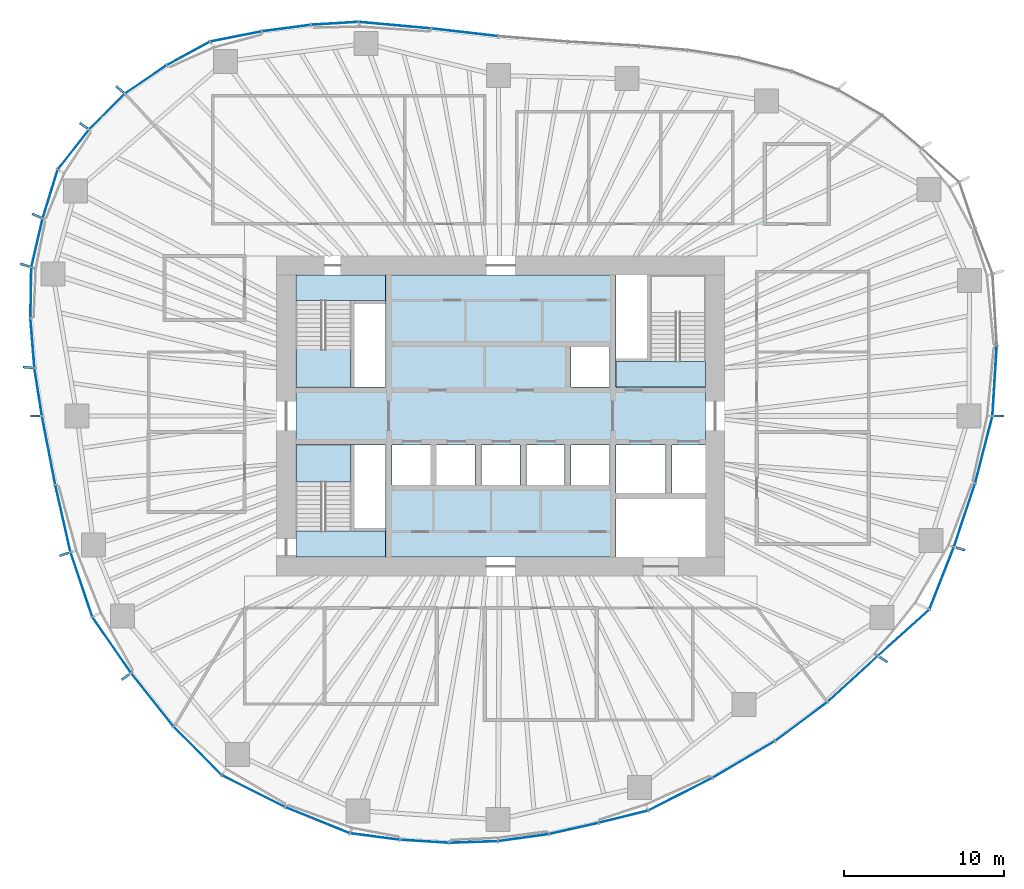
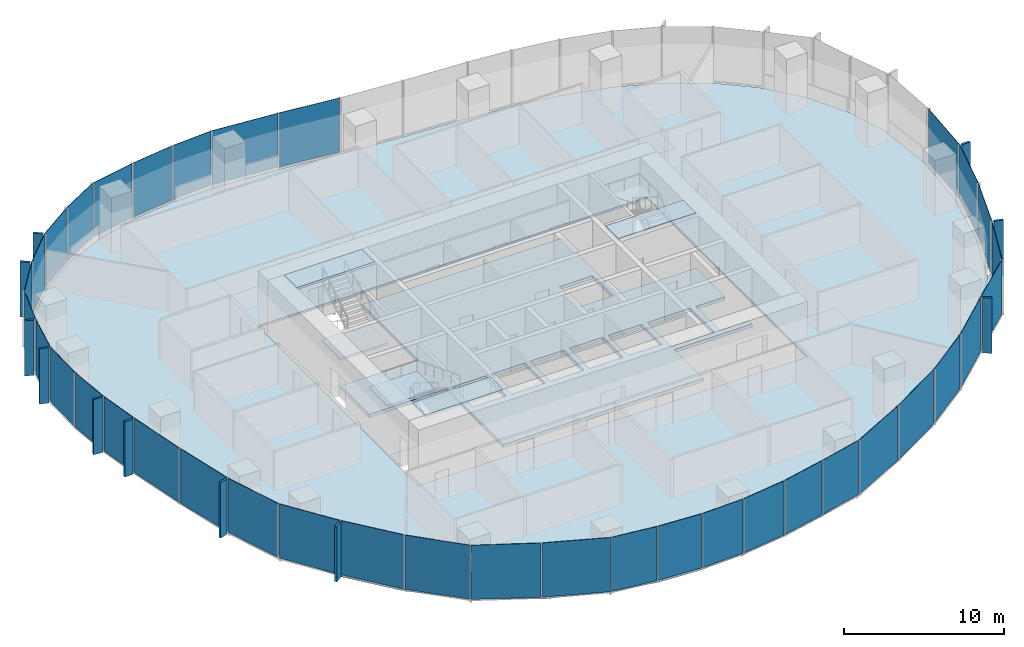
# One storey, part 7 of 18: 48 plates, 7 slabs, 19 elements without a shape of their own.
"""IFC4 building model written with IfcOpenShell, lengths in metres."""

from ifc_helpers import new_model, si_unit, direction, frame, origin, origin_2d, place, context, subcontext, project, spatial, polyline, rectangle, outline, extrude, material, layer, layer_set, type_object, element, aggregate, save


model = new_model("IFC4")

# Units and contexts
model_context = context("Model", 3, precision=1e-05, world=origin(), true_north=direction((0.0, 1.0)))
body_context = subcontext(model_context, "Body", "Model", "MODEL_VIEW")
ifc_project = project(units=[si_unit("LENGTHUNIT", "METRE"), si_unit("AREAUNIT", "SQUARE_METRE"), si_unit("VOLUMEUNIT", "CUBIC_METRE"), si_unit("PLANEANGLEUNIT", "RADIAN"), si_unit("MASSUNIT", "GRAM", prefix="KILO")], contexts=[model_context])

# Site, building, storey
site_placement = place(None, origin())
site = spatial("IfcSite", under=ifc_project, at=site_placement, CompositionType="ELEMENT")
building_placement = place(site_placement, origin())
building = spatial("IfcBuilding", under=site, at=building_placement, Name="Ghaith Harvest Tower", CompositionType="ELEMENT")
storey_placement = place(building_placement, frame((0.0, 0.0, 121.800048828125)))
storey = spatial("IfcBuildingStorey", under=building, at=storey_placement, Name="L25", CompositionType="ELEMENT", Elevation=121.800048828125)

# Curtain wall, plate
ifc_material_1 = material(Name="Black anodised aluminium and fritted glass", Category="aluminium")
curtain_wall_type = type_object("IfcCurtainWallType", Name="CW-L CURTAIN WALL", PredefinedType="NOTDEFINED", material=ifc_material_1)
curtain_wall_1_placement = place(storey_placement, origin())
curtain_wall_1 = element("IfcCurtainWall", 1, at=curtain_wall_1_placement, inside=storey, type_object=curtain_wall_type, Name="Curtain wall CW-L bay 01 L25", PredefinedType="NOTDEFINED")
ifc_material_2 = material(Name="Glass, dark solar-control fritted double glazed unit", Category="glass")
ifc_layer_1 = layer(ifc_material_2, 0.031982421875)
ifc_layer_set_1 = layer_set([ifc_layer_1], Name="CW-L VISION PANEL")
plate_type_1 = type_object("IfcPlateType", Name="CW-L VISION PANEL", PredefinedType="CURTAIN_PANEL", material=ifc_layer_set_1)
plate_1_placement = place(storey_placement, frame((30.86376953125, 2.19482421875, 0.079833984375), z_axis=(0.0, 0.0, 1.0), x_axis=(0.061379619468, 0.99811449359, 0.0)))
plate_1 = element("IfcPlate", 2, at=plate_1_placement, type_object=plate_type_1, Name="CW-L glass unit 1 bay 01 L25", PredefinedType="CURTAIN_PANEL", context=body_context, shape_type="SweptSolid", body=[
    extrude(rectangle(XDim=4.318115234375, YDim=0.031982421875, at=origin_2d()), origin(), (0.0, 0.0, 1.0), 4.1201171875),
])
aggregate(curtain_wall_1, [plate_1])

# Curtain wall, plates
curtain_wall_2_placement = place(storey_placement, origin())
curtain_wall_2 = element("IfcCurtainWall", 3, at=curtain_wall_2_placement, inside=storey, type_object=curtain_wall_type, Name="Curtain wall CW-L bay 06 L25", PredefinedType="NOTDEFINED")
plate_2_placement = place(storey_placement, frame((-2.24267578125, 23.968505859375, 0.079833984375), z_axis=(0.0, 0.0, 1.0), x_axis=(-0.993477024646, 0.114032458099, 0.0)))
plate_2 = element("IfcPlate", 4, at=plate_2_placement, type_object=plate_type_1, Name="CW-L glass unit 1 bay 06 L25", PredefinedType="CURTAIN_PANEL", context=body_context, shape_type="SweptSolid", body=[
    extrude(rectangle(XDim=4.10791015625, YDim=0.031982421875, at=origin_2d()), origin(), (0.0, 0.0, 1.0), 4.1201171875),
])
plate_3_placement = place(storey_placement, frame((-6.607666015625, 24.4140625, 0.079833984375), z_axis=(0.0, 0.0, 1.0), x_axis=(-0.995928776302, 0.090143621701, 0.0)))
plate_3 = element("IfcPlate", 5, at=plate_3_placement, type_object=plate_type_1, Name="CW-L glass unit 2 bay 06 L25", PredefinedType="CURTAIN_PANEL", context=body_context, shape_type="SweptSolid", body=[
    extrude(rectangle(XDim=4.508056640625, YDim=0.031982421875, at=origin_2d()), origin(), (0.0, 0.0, 1.0), 4.1201171875),
])
aggregate(curtain_wall_2, [plate_2, plate_3])

curtain_wall_3_placement = place(storey_placement, origin())
curtain_wall_3 = element("IfcCurtainWall", 6, at=curtain_wall_3_placement, inside=storey, type_object=curtain_wall_type, Name="Curtain wall CW-L bay 07 L25", PredefinedType="NOTDEFINED")
plate_4_placement = place(storey_placement, frame((-10.36669921875, 24.5302734375, 0.079833984375), z_axis=(0.0, 0.0, 1.0), x_axis=(-0.998119199641, -0.061303044853, 0.0)))
plate_4 = element("IfcPlate", 7, at=plate_4_placement, type_object=plate_type_1, Name="CW-L glass unit 1 bay 07 L25", PredefinedType="CURTAIN_PANEL", context=body_context, shape_type="SweptSolid", body=[
    extrude(rectangle(XDim=2.874267578125, YDim=0.031982421875, at=origin_2d()), origin(), (0.0, 0.0, 1.0), 4.1201171875),
])
plate_5_placement = place(storey_placement, frame((-13.382568359375, 24.23486328125, 0.079833984375), z_axis=(0.0, 0.0, 1.0), x_axis=(-0.991285895369, -0.131728029071, 0.0)))
plate_5 = element("IfcPlate", 8, at=plate_5_placement, type_object=plate_type_1, Name="CW-L glass unit 2 bay 07 L25", PredefinedType="CURTAIN_PANEL", context=body_context, shape_type="SweptSolid", body=[
    extrude(rectangle(XDim=3.02978515625, YDim=0.031982421875, at=origin_2d()), origin(), (0.0, 0.0, 1.0), 4.1201171875),
])
plate_6_placement = place(storey_placement, frame((-16.54443359375, 23.7099609375, 0.079833984375), z_axis=(0.0, 0.0, 1.0), x_axis=(-0.981037550101, -0.193817763096, 0.0)))
plate_6 = element("IfcPlate", 9, at=plate_6_placement, type_object=plate_type_1, Name="CW-L glass unit 3 bay 07 L25", PredefinedType="CURTAIN_PANEL", context=body_context, shape_type="SweptSolid", body=[
    extrude(rectangle(XDim=3.22412109375, YDim=0.031982421875, at=origin_2d()), origin(), (0.0, 0.0, 1.0), 4.1201171875),
])
aggregate(curtain_wall_3, [plate_4, plate_5, plate_6])

curtain_wall_4_placement = place(storey_placement, origin())
curtain_wall_4 = element("IfcCurtainWall", 10, at=curtain_wall_4_placement, inside=storey, type_object=curtain_wall_type, Name="Curtain wall CW-L bay 08 L25", PredefinedType="NOTDEFINED")
plate_7_placement = place(storey_placement, frame((-19.520263671875, 22.650634765625, 0.079833984375), z_axis=(0.0, 0.0, 1.0), x_axis=(-0.877940384665, -0.478769966659, 0.0)))
plate_7 = element("IfcPlate", 11, at=plate_7_placement, type_object=plate_type_1, Name="CW-L glass unit 1 bay 08 L25", PredefinedType="CURTAIN_PANEL", context=body_context, shape_type="SweptSolid", body=[
    extrude(rectangle(XDim=3.007080078125, YDim=0.031982421875, at=origin_2d()), origin(), (0.0, 0.0, 1.0), 4.1201171875),
])
plate_8_placement = place(storey_placement, frame((-22.182373046875, 21.025390625, 0.079833984375), z_axis=(0.0, 0.0, 1.0), x_axis=(-0.827674847773, -0.561207935051, 0.0)))
plate_8 = element("IfcPlate", 12, at=plate_8_placement, type_object=plate_type_1, Name="CW-L glass unit 2 bay 08 L25", PredefinedType="CURTAIN_PANEL", context=body_context, shape_type="SweptSolid", body=[
    extrude(rectangle(XDim=3.078369140625, YDim=0.031982421875, at=origin_2d()), origin(), (0.0, 0.0, 1.0), 4.1201171875),
])
plate_9_placement = place(storey_placement, frame((-24.603759765625, 19.01708984375, 0.079833984375), z_axis=(0.0, 0.0, 1.0), x_axis=(-0.704613943896, -0.709590861037, 0.0)))
plate_9 = element("IfcPlate", 13, at=plate_9_placement, type_object=plate_type_1, Name="CW-L glass unit 3 bay 08 L25", PredefinedType="CURTAIN_PANEL", context=body_context, shape_type="SweptSolid", body=[
    extrude(rectangle(XDim=3.0830078125, YDim=0.031982421875, at=origin_2d()), origin(), (0.0, 0.0, 1.0), 4.1201171875),
])
aggregate(curtain_wall_4, [plate_7, plate_8, plate_9])

curtain_wall_5_placement = place(storey_placement, origin())
curtain_wall_5 = element("IfcCurtainWall", 14, at=curtain_wall_5_placement, inside=storey, type_object=curtain_wall_type, Name="Curtain wall CW-L bay 09 L25", PredefinedType="NOTDEFINED")
plate_10_placement = place(storey_placement, frame((-26.69873046875, 16.644775390625, 0.079833984375), z_axis=(0.0, 0.0, 1.0), x_axis=(-0.617140806324, -0.786852734106, 0.0)))
plate_10 = element("IfcPlate", 15, at=plate_10_placement, type_object=plate_type_1, Name="CW-L glass unit 1 bay 09 L25", PredefinedType="CURTAIN_PANEL", context=body_context, shape_type="SweptSolid", body=[
    extrude(rectangle(XDim=3.09765625, YDim=0.031982421875, at=origin_2d()), origin(), (0.0, 0.0, 1.0), 4.1201171875),
])
plate_11_placement = place(storey_placement, frame((-28.14794921875, 13.869140625, 0.079833984375), z_axis=(0.0, 0.0, 1.0), x_axis=(-0.293802674087, -0.955866093498, 0.0)))
plate_11 = element("IfcPlate", 16, at=plate_11_placement, type_object=plate_type_1, Name="CW-L glass unit 2 bay 09 L25", PredefinedType="CURTAIN_PANEL", context=body_context, shape_type="SweptSolid", body=[
    extrude(rectangle(XDim=3.111328125, YDim=0.031982421875, at=origin_2d()), origin(), (0.0, 0.0, 1.0), 4.1201171875),
])
plate_12_placement = place(storey_placement, frame((-28.9716796875, 10.819091796875, 0.079833984375), z_axis=(0.0, 0.0, 1.0), x_axis=(-0.226698962458, -0.973964876379, 0.0)))
plate_12 = element("IfcPlate", 17, at=plate_12_placement, type_object=plate_type_1, Name="CW-L glass unit 3 bay 09 L25", PredefinedType="CURTAIN_PANEL", context=body_context, shape_type="SweptSolid", body=[
    extrude(rectangle(XDim=3.05126953125, YDim=0.031982421875, at=origin_2d()), origin(), (0.0, 0.0, 1.0), 4.1201171875),
])
aggregate(curtain_wall_5, [plate_10, plate_11, plate_12])

curtain_wall_6_placement = place(storey_placement, origin())
curtain_wall_6 = element("IfcCurtainWall", 18, at=curtain_wall_6_placement, inside=storey, type_object=curtain_wall_type, Name="Curtain wall CW-L bay 10 L25", PredefinedType="NOTDEFINED")
plate_13_placement = place(storey_placement, frame((-29.352294921875, 7.695068359375, 0.079833984375), z_axis=(0.0, 0.0, 1.0), x_axis=(-0.016034106433, -0.999871445452, 0.0)))
plate_13 = element("IfcPlate", 19, at=plate_13_placement, type_object=plate_type_1, Name="CW-L glass unit 1 bay 10 L25", PredefinedType="CURTAIN_PANEL", context=body_context, shape_type="SweptSolid", body=[
    extrude(rectangle(XDim=3.118408203125, YDim=0.031982421875, at=origin_2d()), origin(), (0.0, 0.0, 1.0), 4.1201171875),
])
plate_14_placement = place(storey_placement, frame((-29.25439453125, 4.54345703125, 0.079833984375), z_axis=(0.0, 0.0, 1.0), x_axis=(0.079273335663, -0.996852917061, 0.0)))
plate_14 = element("IfcPlate", 20, at=plate_14_placement, type_object=plate_type_1, Name="CW-L glass unit 2 bay 10 L25", PredefinedType="CURTAIN_PANEL", context=body_context, shape_type="SweptSolid", body=[
    extrude(rectangle(XDim=3.035400390625, YDim=0.031982421875, at=origin_2d()), origin(), (0.0, 0.0, 1.0), 4.1201171875),
])
plate_15_placement = place(storey_placement, frame((-28.896240234375, 1.495361328125, 0.079833984375), z_axis=(0.0, 0.0, 1.0), x_axis=(0.155172175389, -0.987887440949, 0.0)))
plate_15 = element("IfcPlate", 21, at=plate_15_placement, type_object=plate_type_1, Name="CW-L glass unit 3 bay 10 L25", PredefinedType="CURTAIN_PANEL", context=body_context, shape_type="SweptSolid", body=[
    extrude(rectangle(XDim=2.947265625, YDim=0.031982421875, at=origin_2d()), origin(), (0.0, 0.0, 1.0), 4.1201171875),
])
aggregate(curtain_wall_6, [plate_13, plate_14, plate_15])

curtain_wall_7_placement = place(storey_placement, origin())
curtain_wall_7 = element("IfcCurtainWall", 22, at=curtain_wall_7_placement, inside=storey, type_object=curtain_wall_type, Name="Curtain wall CW-L bay 11 L25", PredefinedType="NOTDEFINED")
plate_16_placement = place(storey_placement, frame((-28.24462890625, -2.152099609375, 0.079833984375), z_axis=(0.0, 0.0, 1.0), x_axis=(0.190044913274, -0.981775397399, 0.0)))
plate_16 = element("IfcPlate", 23, at=plate_16_placement, type_object=plate_type_1, Name="CW-L glass unit 1 bay 11 L25", PredefinedType="CURTAIN_PANEL", context=body_context, shape_type="SweptSolid", body=[
    extrude(rectangle(XDim=4.303955078125, YDim=0.031982421875, at=origin_2d()), origin(), (0.0, 0.0, 1.0), 4.1201171875),
])
plate_17_placement = place(storey_placement, frame((-27.351806640625, -6.41064453125, 0.079833984375), z_axis=(0.0, 0.0, 1.0), x_axis=(0.220483469245, -0.975390711351, 0.0)))
plate_17 = element("IfcPlate", 24, at=plate_17_placement, type_object=plate_type_1, Name="CW-L glass unit 2 bay 11 L25", PredefinedType="CURTAIN_PANEL", context=body_context, shape_type="SweptSolid", body=[
    extrude(rectangle(XDim=4.239501953125, YDim=0.031982421875, at=origin_2d()), origin(), (0.0, 0.0, 1.0), 4.1201171875),
])
aggregate(curtain_wall_7, [plate_16, plate_17])

curtain_wall_8_placement = place(storey_placement, origin())
curtain_wall_8 = element("IfcCurtainWall", 25, at=curtain_wall_8_placement, inside=storey, type_object=curtain_wall_type, Name="Curtain wall CW-L bay 12 L25", PredefinedType="NOTDEFINED")
plate_18_placement = place(storey_placement, frame((-26.194580078125, -10.537841796875, 0.079833984375), z_axis=(0.0, 0.0, 1.0), x_axis=(0.319477383729, -0.947593901039, 0.0)))
plate_18 = element("IfcPlate", 26, at=plate_18_placement, type_object=plate_type_1, Name="CW-L glass unit 1 bay 12 L25", PredefinedType="CURTAIN_PANEL", context=body_context, shape_type="SweptSolid", body=[
    extrude(rectangle(XDim=4.184326171875, YDim=0.031982421875, at=origin_2d()), origin(), (0.0, 0.0, 1.0), 4.1201171875),
])
plate_19_placement = place(storey_placement, frame((-24.3017578125, -14.312255859375, 0.079833984375), z_axis=(0.0, 0.0, 1.0), x_axis=(0.568347699633, -0.822788485774, 0.0)))
plate_19 = element("IfcPlate", 27, at=plate_19_placement, type_object=plate_type_1, Name="CW-L glass unit 2 bay 12 L25", PredefinedType="CURTAIN_PANEL", context=body_context, shape_type="SweptSolid", body=[
    extrude(rectangle(XDim=4.18359375, YDim=0.031982421875, at=origin_2d()), origin(), (0.0, 0.0, 1.0), 4.1201171875),
])
aggregate(curtain_wall_8, [plate_18, plate_19])

curtain_wall_9_placement = place(storey_placement, origin())
curtain_wall_9 = element("IfcCurtainWall", 28, at=curtain_wall_9_placement, inside=storey, type_object=curtain_wall_type, Name="Curtain wall CW-L bay 13 L25", PredefinedType="NOTDEFINED")
plate_20_placement = place(storey_placement, frame((-21.765625, -17.7314453125, 0.079833984375), z_axis=(0.0, 0.0, 1.0), x_axis=(0.622507360482, -0.782613944513, 0.0)))
plate_20 = element("IfcPlate", 29, at=plate_20_placement, type_object=plate_type_1, Name="CW-L glass unit 1 bay 13 L25", PredefinedType="CURTAIN_PANEL", context=body_context, shape_type="SweptSolid", body=[
    extrude(rectangle(XDim=4.175537109375, YDim=0.031982421875, at=origin_2d()), origin(), (0.0, 0.0, 1.0), 4.1201171875),
])
plate_21_placement = place(storey_placement, frame((-18.935791015625, -20.920166015625, 0.079833984375), z_axis=(0.0, 0.0, 1.0), x_axis=(0.702843151286, -0.711344856375, 0.0)))
plate_21 = element("IfcPlate", 30, at=plate_21_placement, type_object=plate_type_1, Name="CW-L glass unit 2 bay 13 L25", PredefinedType="CURTAIN_PANEL", context=body_context, shape_type="SweptSolid", body=[
    extrude(rectangle(XDim=4.203369140625, YDim=0.031982421875, at=origin_2d()), origin(), (0.0, 0.0, 1.0), 4.1201171875),
])
aggregate(curtain_wall_9, [plate_20, plate_21])

curtain_wall_10_placement = place(storey_placement, origin())
curtain_wall_10 = element("IfcCurtainWall", 31, at=curtain_wall_10_placement, inside=storey, type_object=curtain_wall_type, Name="Curtain wall CW-L bay 14 L25", PredefinedType="NOTDEFINED")
plate_22_placement = place(storey_placement, frame((-15.44677734375, -23.443115234375, 0.079833984375), z_axis=(0.0, 0.0, 1.0), x_axis=(0.893062297869, -0.449933030712, 0.0)))
plate_22 = element("IfcPlate", 32, at=plate_22_placement, type_object=plate_type_1, Name="CW-L glass unit 1 bay 14 L25", PredefinedType="CURTAIN_PANEL", context=body_context, shape_type="SweptSolid", body=[
    extrude(rectangle(XDim=4.362548828125, YDim=0.031982421875, at=origin_2d()), origin(), (0.0, 0.0, 1.0), 4.1201171875),
])
plate_23_placement = place(storey_placement, frame((-11.441162109375, -25.260498046875, 0.079833984375), z_axis=(0.0, 0.0, 1.0), x_axis=(0.927002522537, -0.375055093567, 0.0)))
plate_23 = element("IfcPlate", 33, at=plate_23_placement, type_object=plate_type_1, Name="CW-L glass unit 2 bay 14 L25", PredefinedType="CURTAIN_PANEL", context=body_context, shape_type="SweptSolid", body=[
    extrude(rectangle(XDim=4.282470703125, YDim=0.031982421875, at=origin_2d()), origin(), (0.0, 0.0, 1.0), 4.1201171875),
])
aggregate(curtain_wall_10, [plate_22, plate_23])

curtain_wall_11_placement = place(storey_placement, origin())
curtain_wall_11 = element("IfcCurtainWall", 34, at=curtain_wall_11_placement, inside=storey, type_object=curtain_wall_type, Name="Curtain wall CW-L bay 15 L25", PredefinedType="NOTDEFINED")
plate_24_placement = place(storey_placement, frame((-7.856689453125, -26.281005859375, 0.079833984375), z_axis=(0.0, 0.0, 1.0), x_axis=(0.99172348392, -0.128392100386, 0.0)))
plate_24 = element("IfcPlate", 35, at=plate_24_placement, type_object=plate_type_1, Name="CW-L glass unit 1 bay 15 L25", PredefinedType="CURTAIN_PANEL", context=body_context, shape_type="SweptSolid", body=[
    extrude(rectangle(XDim=3.07080078125, YDim=0.031982421875, at=origin_2d()), origin(), (0.0, 0.0, 1.0), 4.1201171875),
])
plate_25_placement = place(storey_placement, frame((-4.7568359375, -26.57958984375, 0.079833984375), z_axis=(0.0, 0.0, 1.0), x_axis=(0.998038280843, -0.062606628824, 0.0)))
plate_25 = element("IfcPlate", 36, at=plate_25_placement, type_object=plate_type_1, Name="CW-L glass unit 2 bay 15 L25", PredefinedType="CURTAIN_PANEL", context=body_context, shape_type="SweptSolid", body=[
    extrude(rectangle(XDim=3.001220703125, YDim=0.031982421875, at=origin_2d()), origin(), (0.0, 0.0, 1.0), 4.1201171875),
])
plate_26_placement = place(storey_placement, frame((-1.700439453125, -26.624755859375, 0.079833984375), z_axis=(0.0, 0.0, 1.0), x_axis=(0.999431515426, 0.033714180603, 0.0)))
plate_26 = element("IfcPlate", 37, at=plate_26_placement, type_object=plate_type_1, Name="CW-L glass unit 3 bay 15 L25", PredefinedType="CURTAIN_PANEL", context=body_context, shape_type="SweptSolid", body=[
    extrude(rectangle(XDim=2.958984375, YDim=0.031982421875, at=origin_2d()), origin(), (0.0, 0.0, 1.0), 4.1201171875),
])
aggregate(curtain_wall_11, [plate_24, plate_25, plate_26])

curtain_wall_12_placement = place(storey_placement, origin())
curtain_wall_12 = element("IfcCurtainWall", 38, at=curtain_wall_12_placement, inside=storey, type_object=curtain_wall_type, Name="Curtain wall CW-L bay 16 L25", PredefinedType="NOTDEFINED")
plate_27_placement = place(storey_placement, frame((1.4140625, -26.3515625, 0.079833984375), z_axis=(0.0, 0.0, 1.0), x_axis=(0.990448098003, 0.137886058621, 0.0)))
plate_27 = element("IfcPlate", 39, at=plate_27_placement, type_object=plate_type_1, Name="CW-L glass unit 1 bay 16 L25", PredefinedType="CURTAIN_PANEL", context=body_context, shape_type="SweptSolid", body=[
    extrude(rectangle(XDim=3.142578125, YDim=0.031982421875, at=origin_2d()), origin(), (0.0, 0.0, 1.0), 4.1201171875),
])
plate_28_placement = place(storey_placement, frame((4.565185546875, -25.77734375, 0.079833984375), z_axis=(0.0, 0.0, 1.0), x_axis=(0.975341754172, 0.220699937852, 0.0)))
plate_28 = element("IfcPlate", 40, at=plate_28_placement, type_object=plate_type_1, Name="CW-L glass unit 2 bay 16 L25", PredefinedType="CURTAIN_PANEL", context=body_context, shape_type="SweptSolid", body=[
    extrude(rectangle(XDim=3.10888671875, YDim=0.031982421875, at=origin_2d()), origin(), (0.0, 0.0, 1.0), 4.1201171875),
])
plate_29_placement = place(storey_placement, frame((7.66845703125, -25.0400390625, 0.079833984375), z_axis=(0.0, 0.0, 1.0), x_axis=(0.970384283801, 0.241566433413, 0.0)))
plate_29 = element("IfcPlate", 41, at=plate_29_placement, type_object=plate_type_1, Name="CW-L glass unit 3 bay 16 L25", PredefinedType="CURTAIN_PANEL", context=body_context, shape_type="SweptSolid", body=[
    extrude(rectangle(XDim=3.111083984375, YDim=0.031982421875, at=origin_2d()), origin(), (0.0, 0.0, 1.0), 4.1201171875),
])
aggregate(curtain_wall_12, [plate_27, plate_28, plate_29])

curtain_wall_13_placement = place(storey_placement, origin())
curtain_wall_13 = element("IfcCurtainWall", 42, at=curtain_wall_13_placement, inside=storey, type_object=curtain_wall_type, Name="Curtain wall CW-L bay 17 L25", PredefinedType="NOTDEFINED")
plate_30_placement = place(storey_placement, frame((11.220703125, -23.63427734375, 0.079833984375), z_axis=(0.0, 0.0, 1.0), x_axis=(0.891126766056, 0.453754434489, 0.0)))
plate_30 = element("IfcPlate", 43, at=plate_30_placement, type_object=plate_type_1, Name="CW-L glass unit 1 bay 17 L25", PredefinedType="CURTAIN_PANEL", context=body_context, shape_type="SweptSolid", body=[
    extrude(rectangle(XDim=4.417236328125, YDim=0.031982421875, at=origin_2d()), origin(), (0.0, 0.0, 1.0), 4.1201171875),
])
plate_31_placement = place(storey_placement, frame((15.17822265625, -21.46484375, 0.079833984375), z_axis=(0.0, 0.0, 1.0), x_axis=(0.861979497965, 0.506943137924, 0.0)))
plate_31 = element("IfcPlate", 44, at=plate_31_placement, type_object=plate_type_1, Name="CW-L glass unit 2 bay 17 L25", PredefinedType="CURTAIN_PANEL", context=body_context, shape_type="SweptSolid", body=[
    extrude(rectangle(XDim=4.453125, YDim=0.031982421875, at=origin_2d()), origin(), (0.0, 0.0, 1.0), 4.1201171875),
])
aggregate(curtain_wall_13, [plate_30, plate_31])

curtain_wall_14_placement = place(storey_placement, origin())
curtain_wall_14 = element("IfcCurtainWall", 45, at=curtain_wall_14_placement, inside=storey, type_object=curtain_wall_type, Name="Curtain wall CW-L bay 18 L25", PredefinedType="NOTDEFINED")
plate_32_placement = place(storey_placement, frame((18.78076171875, -19.08984375, 0.079833984375), z_axis=(0.0, 0.0, 1.0), x_axis=(0.802462370117, 0.596702727115, 0.0)))
plate_32 = element("IfcPlate", 46, at=plate_32_placement, type_object=plate_type_1, Name="CW-L glass unit 1 bay 18 L25", PredefinedType="CURTAIN_PANEL", context=body_context, shape_type="SweptSolid", body=[
    extrude(rectangle(XDim=4.029541015625, YDim=0.031982421875, at=origin_2d()), origin(), (0.0, 0.0, 1.0), 4.1201171875),
])
plate_33_placement = place(storey_placement, frame((21.9951171875, -16.428955078125, 0.079833984375), z_axis=(0.0, 0.0, 1.0), x_axis=(0.737201663563, 0.675672781189, 0.0)))
plate_33 = element("IfcPlate", 47, at=plate_33_placement, type_object=plate_type_1, Name="CW-L glass unit 2 bay 18 L25", PredefinedType="CURTAIN_PANEL", context=body_context, shape_type="SweptSolid", body=[
    extrude(rectangle(XDim=4.1669921875, YDim=0.031982421875, at=origin_2d()), origin(), (0.0, 0.0, 1.0), 4.1201171875),
])
aggregate(curtain_wall_14, [plate_32, plate_33])

curtain_wall_15_placement = place(storey_placement, origin())
curtain_wall_15 = element("IfcCurtainWall", 48, at=curtain_wall_15_placement, inside=storey, type_object=curtain_wall_type, Name="Curtain wall CW-L bay 19 L25", PredefinedType="NOTDEFINED")
plate_34_placement = place(storey_placement, frame((25.17333984375, -13.54345703125, 0.079833984375), z_axis=(0.0, 0.0, 1.0), x_axis=(0.743493028761, 0.668743684968, 0.0)))
plate_34 = element("IfcPlate", 49, at=plate_34_placement, type_object=plate_type_1, Name="CW-L glass unit 1 bay 19 L25", PredefinedType="CURTAIN_PANEL", context=body_context, shape_type="SweptSolid", body=[
    extrude(rectangle(XDim=4.2587890625, YDim=0.031982421875, at=origin_2d()), origin(), (0.0, 0.0, 1.0), 4.1201171875),
])
plate_35_placement = place(storey_placement, frame((27.552978515625, -10.138916015625, 0.079833984375), z_axis=(0.0, 0.0, 1.0), x_axis=(0.365226458984, 0.930918704108, 0.0)))
plate_35 = element("IfcPlate", 50, at=plate_35_placement, type_object=plate_type_1, Name="CW-L glass unit 2 bay 19 L25", PredefinedType="CURTAIN_PANEL", context=body_context, shape_type="SweptSolid", body=[
    extrude(rectangle(XDim=4.11767578125, YDim=0.031982421875, at=origin_2d()), origin(), (0.0, 0.0, 1.0), 4.1201171875),
])
aggregate(curtain_wall_15, [plate_34, plate_35])

curtain_wall_16_placement = place(storey_placement, origin())
curtain_wall_16 = element("IfcCurtainWall", 51, at=curtain_wall_16_placement, inside=storey, type_object=curtain_wall_type, Name="Curtain wall CW-L bay 20 L25", PredefinedType="NOTDEFINED")
plate_36_placement = place(storey_placement, frame((28.982666015625, -6.191650390625, 0.079833984375), z_axis=(0.0, 0.0, 1.0), x_axis=(0.315708038084, 0.948856382541, 0.0)))
plate_36 = element("IfcPlate", 52, at=plate_36_placement, type_object=plate_type_1, Name="CW-L glass unit 1 bay 20 L25", PredefinedType="CURTAIN_PANEL", context=body_context, shape_type="SweptSolid", body=[
    extrude(rectangle(XDim=4.12158203125, YDim=0.031982421875, at=origin_2d()), origin(), (0.0, 0.0, 1.0), 4.1201171875),
])
plate_37_placement = place(storey_placement, frame((30.187255859375, -2.09912109375, 0.079833984375), z_axis=(0.0, 0.0, 1.0), x_axis=(0.24974411022, 0.968311870944, 0.0)))
plate_37 = element("IfcPlate", 53, at=plate_37_placement, type_object=plate_type_1, Name="CW-L glass unit 2 bay 20 L25", PredefinedType="CURTAIN_PANEL", context=body_context, shape_type="SweptSolid", body=[
    extrude(rectangle(XDim=4.255615234375, YDim=0.031982421875, at=origin_2d()), origin(), (0.0, 0.0, 1.0), 4.1201171875),
])
aggregate(curtain_wall_16, [plate_36, plate_37])

# Slabs
ifc_material_3 = material(Name="Concrete C40/50", Category="concrete")
ifc_layer_2 = layer(ifc_material_3, 0.169921875)
ifc_layer_set_2 = layer_set([ifc_layer_2], Name="FLOOR SLAB 170")
slab_type_1 = type_object("IfcSlabType", Name="FLOOR SLAB 170", PredefinedType="FLOOR", material=ifc_layer_set_2)
slab_1_placement = place(storey_placement, frame((0.0, 0.0, -0.170166015625)))
element("IfcSlab", 54, at=slab_1_placement, inside=storey, type_object=slab_type_1, Name="Floor slab L25", PredefinedType="FLOOR", context=body_context, shape_type="SweptSolid", body=[
    extrude(outline(polyline([(30.458740234375, 0.0), (30.8798828125, 4.373046875), (30.439208984375, 8.797607421875), (29.52294921875, 11.671875), (28.0888671875, 14.32568359375), (26.179443359375, 16.660888671875), (23.7275390625, 18.718017578125), (20.97998046875, 20.3056640625), (18.0849609375, 21.4462890625), (14.79833984375, 22.27978515625), (11.617919921875, 22.757080078125), (8.604736328125, 23.017333984375), (4.125732421875, 23.272705078125), (-0.16162109375, 23.609619140625), (-4.302001953125, 24.089111328125), (-8.814208984375, 24.404541015625), (-11.788818359375, 24.331787109375), (-14.860595703125, 23.927978515625), (-17.938232421875, 23.097412109375), (-20.79248046875, 21.82470703125), (-23.398193359375, 20.06103515625), (-25.61962890625, 17.826416015625), (-27.33837890625, 15.204833984375), (-28.506591796875, 12.29638671875), (-29.12646484375, 9.230712890625), (-29.260498046875, 6.07177734375), (-29.01171875, 2.978271484375), (-28.541259765625, 0.0), (-27.70947265625, -4.285888671875), (-26.580078125, -8.423583984375), (-25.046875, -12.32861328125), (-22.99169921875, -15.997802734375), (-20.35400390625, -19.31396484375), (-17.1728515625, -22.11181640625), (-13.4052734375, -24.33740234375), (-9.317138671875, -25.79638671875), (-6.2666015625, -26.366455078125), (-3.204833984375, -26.556884765625), (-0.180908203125, -26.423583984375), (2.99609375, -26.010009765625), (6.09228515625, -25.308837890625), (9.09423828125, -24.326904296875), (13.163818359375, -22.510498046875), (17.054443359375, -20.22412109375), (20.33935546875, -17.784912109375), (23.400390625, -14.89208984375), (25.94775390625, -11.714111328125), (28.03125, -8.1015625), (29.527099609375, -4.181396484375), (30.458740234375, 0.0)]), holes=[polyline([(-14.0, -10.0), (14.0, -10.0), (14.0, 10.0), (-14.0, 10.0), (-14.0, -10.0)])]), origin(), (0.0, 0.0, 1.0), 0.170166015625),
])
ifc_material_4 = material(Name="Concrete C40/50", Category="concrete")
ifc_layer_3 = layer(ifc_material_4, 0.25)
ifc_layer_set_3 = layer_set([ifc_layer_3], Name="FLOOR SLAB 250")
slab_type_2 = type_object("IfcSlabType", Name="FLOOR SLAB 250", PredefinedType="FLOOR", material=ifc_layer_set_3)
slab_2_placement = place(storey_placement, frame((0.0, 0.0, -0.25)))
element("IfcSlab", 55, at=slab_2_placement, inside=storey, type_object=slab_type_2, Name="Core slab L25", PredefinedType="FLOOR", context=body_context, shape_type="SweptSolid", body=[
    extrude(outline(polyline([(-12.800048828125, 1.800048828125), (-7.199951171875, 1.800048828125), (-7.199951171875, 8.800048828125), (7.199951171875, 8.800048828125), (7.199951171875, 1.800048828125), (12.800048828125, 1.800048828125), (12.800048828125, -1.800048828125), (10.699951171875, -1.800048828125), (10.699951171875, -4.800048828125), (12.800048828125, -4.800048828125), (12.800048828125, -5.199951171875), (7.199951171875, -5.199951171875), (7.199951171875, -8.800048828125), (-7.199951171875, -8.800048828125), (-7.199951171875, -1.800048828125), (-12.800048828125, -1.800048828125), (-12.800048828125, 1.800048828125)]), holes=[polyline([(-4.39990234375, -4.300048828125), (-4.39990234375, -1.800048828125), (-6.800048828125, -1.800048828125), (-6.800048828125, -4.300048828125), (-4.39990234375, -4.300048828125)]), polyline([(-1.60009765625, -4.300048828125), (-1.60009765625, -1.800048828125), (-4.0, -1.800048828125), (-4.0, -4.300048828125), (-1.60009765625, -4.300048828125)]), polyline([(1.199951171875, -1.800048828125), (-1.199951171875, -1.800048828125), (-1.199951171875, -4.300048828125), (1.199951171875, -4.300048828125), (1.199951171875, -1.800048828125)]), polyline([(4.0, -4.300048828125), (4.0, -1.800048828125), (1.60009765625, -1.800048828125), (1.60009765625, -4.300048828125), (4.0, -4.300048828125)]), polyline([(10.300048828125, -4.800048828125), (10.300048828125, -1.800048828125), (7.199951171875, -1.800048828125), (7.199951171875, -4.800048828125), (10.300048828125, -4.800048828125)]), polyline([(6.800048828125, -1.800048828125), (4.39990234375, -1.800048828125), (4.39990234375, -4.300048828125), (6.800048828125, -4.300048828125), (6.800048828125, -1.800048828125)]), polyline([(6.800048828125, 1.800048828125), (6.800048828125, 4.300048828125), (4.39990234375, 4.300048828125), (4.39990234375, 1.800048828125), (6.800048828125, 1.800048828125)])]), origin(), (0.0, 0.0, 1.0), 0.25),
])

# Stair, slabs
ifc_material_5 = material(Name="Concrete C40/50, precast", Category="concrete")
stair_type = type_object("IfcStairType", Name="CORE STAIR 24R", PredefinedType="HALF_TURN_STAIR", material=ifc_material_5)
stair_1_placement = place(storey_placement, origin())
stair_1 = element("IfcStair", 56, at=stair_1_placement, inside=storey, type_object=stair_type, Name="Stair ST1 L25", PredefinedType="HALF_TURN_STAIR")
ifc_material_6 = material(Name="Concrete C40/50, precast", Category="concrete")
ifc_layer_4 = layer(ifc_material_6, 0.179931640625)
ifc_layer_set_4 = layer_set([ifc_layer_4], Name="STAIR LANDING 180")
slab_type_3 = type_object("IfcSlabType", Name="STAIR LANDING 180", PredefinedType="LANDING", material=ifc_layer_set_4)
slab_3_placement = place(storey_placement, frame((0.0, 0.0, 1.919921875)))
slab_3 = element("IfcSlab", 57, at=slab_3_placement, type_object=slab_type_3, Name="ST1 landing 1", PredefinedType="LANDING", context=body_context, shape_type="SweptSolid", body=[
    extrude(outline(polyline([(-12.800048828125, 4.139892578125), (-12.800048828125, 1.77490234375), (-9.35009765625, 1.77490234375), (-9.35009765625, 4.139892578125), (-12.800048828125, 4.139892578125)])), origin(), (0.0, 0.0, 1.0), 0.179931640625),
])
slab_4_placement = place(storey_placement, frame((0.0, 0.0, 4.02001953125)))
slab_4 = element("IfcSlab", 58, at=slab_4_placement, type_object=slab_type_3, Name="ST1 landing 2", PredefinedType="LANDING", context=body_context, shape_type="SweptSolid", body=[
    extrude(outline(polyline([(-12.800048828125, 8.800048828125), (-12.800048828125, 7.199951171875), (-7.199951171875, 7.199951171875), (-7.199951171875, 8.800048828125), (-12.800048828125, 8.800048828125)])), origin(), (0.0, 0.0, 1.0), 0.179931640625),
])
aggregate(stair_1, [slab_3, slab_4])

stair_2_placement = place(storey_placement, origin())
stair_2 = element("IfcStair", 59, at=stair_2_placement, inside=storey, type_object=stair_type, Name="Stair ST3 L25", PredefinedType="HALF_TURN_STAIR")
slab_5_placement = place(storey_placement, frame((0.0, 0.0, 1.919921875)))
slab_5 = element("IfcSlab", 60, at=slab_5_placement, type_object=slab_type_3, Name="ST3 landing 1", PredefinedType="LANDING", context=body_context, shape_type="SweptSolid", body=[
    extrude(outline(polyline([(-12.800048828125, -4.139892578125), (-12.800048828125, -1.77490234375), (-9.35009765625, -1.77490234375), (-9.35009765625, -4.139892578125), (-12.800048828125, -4.139892578125)])), origin(), (0.0, 0.0, 1.0), 0.179931640625),
])
slab_6_placement = place(storey_placement, frame((0.0, 0.0, 4.02001953125)))
slab_6 = element("IfcSlab", 61, at=slab_6_placement, type_object=slab_type_3, Name="ST3 landing 2", PredefinedType="LANDING", context=body_context, shape_type="SweptSolid", body=[
    extrude(outline(polyline([(-12.800048828125, -8.800048828125), (-12.800048828125, -7.199951171875), (-7.199951171875, -7.199951171875), (-7.199951171875, -8.800048828125), (-12.800048828125, -8.800048828125)])), origin(), (0.0, 0.0, 1.0), 0.179931640625),
])
aggregate(stair_2, [slab_5, slab_6])

# Stair, slab
stair_3_placement = place(storey_placement, origin())
stair_3 = element("IfcStair", 62, at=stair_3_placement, inside=storey, type_object=stair_type, Name="Stair ST2 L25", PredefinedType="HALF_TURN_STAIR")
slab_7_placement = place(storey_placement, frame((0.0, 0.0, 4.02001953125)))
slab_7 = element("IfcSlab", 63, at=slab_7_placement, type_object=slab_type_3, Name="ST2 landing 2", PredefinedType="LANDING", context=body_context, shape_type="SweptSolid", body=[
    extrude(outline(polyline([(12.800048828125, 1.800048828125), (12.800048828125, 3.39990234375), (7.199951171875, 3.39990234375), (7.199951171875, 1.800048828125), (12.800048828125, 1.800048828125)])), origin(), (0.0, 0.0, 1.0), 0.179931640625),
])
aggregate(stair_3, [slab_7])

# Plates
ifc_material_7 = material(Name="Glassfibre-reinforced concrete", Category="concrete")
ifc_layer_5 = layer(ifc_material_7, 0.14990234375)
ifc_layer_set_5 = layer_set([ifc_layer_5], Name="SUN-BREAKER FIN 600x150")
plate_type_2 = type_object("IfcPlateType", Name="SUN-BREAKER FIN 600x150", PredefinedType="USERDEFINED", material=ifc_layer_set_5)
for number, where, z_axis, x_axis, name in (
    (64, (31.148681640625, 0.0, 0.0), (0.0, 0.0, 1.0), (1.0, 0.0, 0.0), "Sun-breaker fin CW-L 1 bay 01 L25"),
    (65, (-23.808349609375, 20.41259765625, 0.0), (0.0, 0.0, 1.0), (-0.759169742643, 0.650892696115, 0.0), "Sun-breaker fin CW-L 3 bay 08 L25"),
    (66, (-26.06298828125, 18.134765625, 0.0), (0.0, 0.0, 1.0), (-0.820845486523, 0.571150319316, 0.0), "Sun-breaker fin CW-L 1 bay 09 L25"),
    (67, (-29.00244140625, 12.51025390625, 0.0), (0.0, 0.0, 1.0), (-0.918217993215, 0.396075392995, 0.0), "Sun-breaker fin CW-L 3 bay 09 L25"),
    (68, (-29.72705078125, 9.4208984375, 0.0), (0.0, 0.0, 1.0), (-0.953273219358, 0.302109531884, 0.0), "Sun-breaker fin CW-L 1 bay 10 L25"),
    (69, (-29.548828125, 3.033447265625, 0.0), (0.0, 0.0, 1.0), (-0.994771752973, 0.102123256344, 0.0), "Sun-breaker fin CW-L 3 bay 10 L25"),
    (70, (-29.081298828125, 0.0, 0.0), (0.0, 0.0, 1.0), (-1.0, -4.19e-10, 0.0), "Sun-breaker fin CW-L 1 bay 11 L25"),
    (71, (-27.276123046875, -8.644287109375, 0.0), (0.0, 0.0, 1.0), (-0.953273219416, -0.302109531701, 0.0), "Sun-breaker fin CW-L 1 bay 12 L25"),
    (72, (-23.434814453125, -16.30615234375, 0.0), (0.0, 0.0, 1.0), (-0.820845486622, -0.571150319173, 0.0), "Sun-breaker fin CW-L 1 bay 13 L25"),
    (73, (23.914794921875, -15.2197265625, 0.0), (0.0, 0.0, 1.0), (0.84364397137, -0.536903016913, 0.0), "Sun-breaker fin CW-L 1 bay 19 L25"),
    (74, (28.722900390625, -8.301513671875, 0.0), (0.0, 0.0, 1.0), (0.960680349932, -0.277656739976, 0.0), "Sun-breaker fin CW-L 1 bay 20 L25"),
):
    element("IfcPlate", number, at=place(storey_placement, frame(where, z_axis=z_axis, x_axis=x_axis)), inside=storey, type_object=plate_type_2, Name=name, ObjectType="SUN-BREAKER FIN", PredefinedType="USERDEFINED", context=body_context, shape_type="SweptSolid", body=[
        extrude(rectangle(XDim=0.60009765625, YDim=0.14990234375, at=origin_2d()), origin(), (0.0, 0.0, 1.0), 4.199951171875),
    ])

save(model, "model.ifc")
